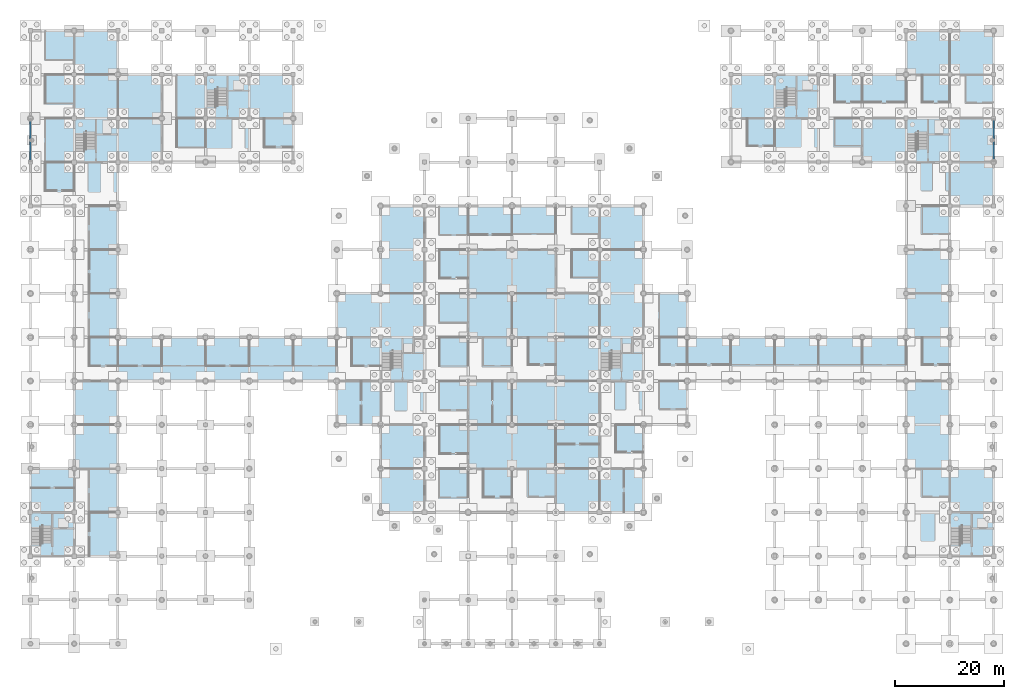
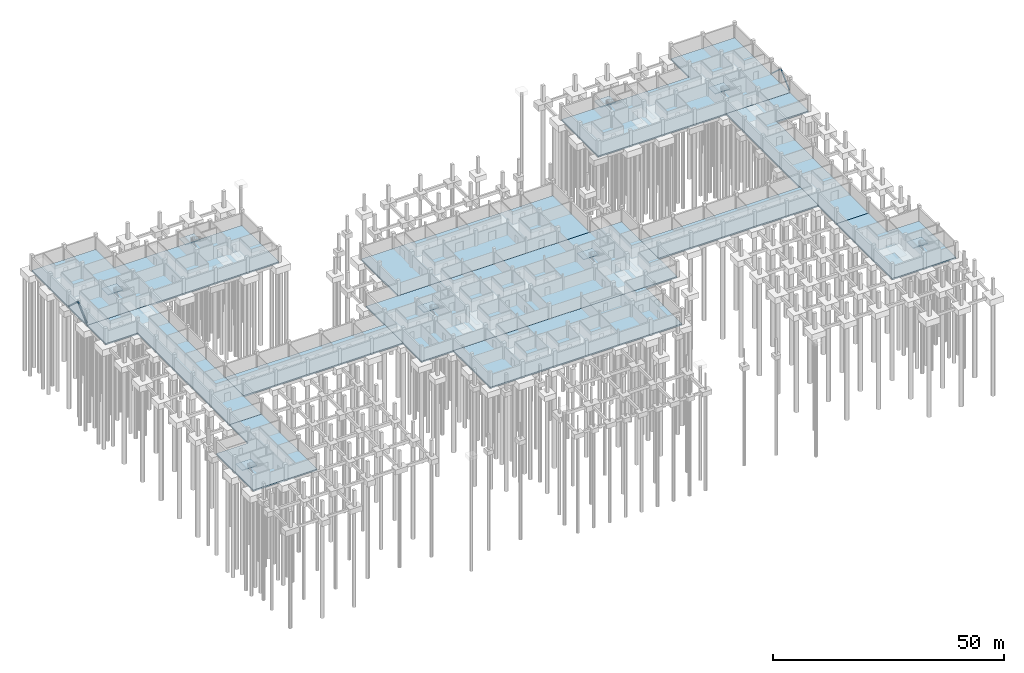
# One storey, part 22 of 48: 19 slabs, 4 members, 8 elements without a shape of their own.
"""IFC4 building model written with IfcOpenShell, lengths in metres."""

from ifc_helpers import new_model, si_unit, derived_unit, direction, frame, origin, origin_2d, place, context, subcontext, project, spatial, polyline, hollow_rectangle, outline, extrude, material, layer, layer_set, material_profile, profile_set, type_object, element, aggregate, save


model = new_model("IFC4")

# Units and contexts
model_context = context("Model", 3, precision=1e-05, world=origin(), true_north=direction((0.0, 1.0)))
body_context = subcontext(model_context, "Body", "Model", "MODEL_VIEW")
ifc_project = project(units=[si_unit("LENGTHUNIT", "METRE"), si_unit("AREAUNIT", "SQUARE_METRE"), si_unit("VOLUMEUNIT", "CUBIC_METRE"), si_unit("PLANEANGLEUNIT", "RADIAN"), si_unit("MASSUNIT", "GRAM", prefix="KILO"), derived_unit("THERMALTRANSMITTANCEUNIT", [(si_unit("MASSUNIT", "GRAM", prefix="KILO"), 1), (si_unit("TIMEUNIT", "SECOND"), -3), (si_unit("THERMODYNAMICTEMPERATUREUNIT", "KELVIN"), -1)])], contexts=[model_context])

# Site, building, storey
site_placement = place(None, origin())
site = spatial("IfcSite", under=ifc_project, at=site_placement, CompositionType="ELEMENT")
building_placement = place(site_placement, origin())
building = spatial("IfcBuilding", under=site, at=building_placement, Name="Veyamyaing Civic Hall", CompositionType="ELEMENT")
storey_placement = place(building_placement, frame((0.0, 0.0, -4.2900390625)))
storey = spatial("IfcBuildingStorey", under=building, at=storey_placement, Name="B1", CompositionType="ELEMENT", Elevation=-4.2900390625)

# Members
ifc_material_1 = material(Name="Steel S355J2", Category="steel")
ifc_material_profile = material_profile(ifc_material_1, hollow_rectangle(XDim=0.25390625, YDim=0.25390625, WallThickness=0.0126953125, at=origin_2d()), Name="HSS254X254X12.7")
ifc_profile_set = profile_set([ifc_material_profile], Name="Steel S355J2")
member_type = type_object("IfcMemberType", Name="BR-01", PredefinedType="BRACE", material=ifc_profile_set)
for number, where, z_axis, x_axis, name in (
    (1, (0.0, 88.219970703125, 0.400146484375), (0.0, 0.739594142904, 0.67305312107), (-1.0, 0.0, 0.0), "Seismic chevron brace BR-01 BF-NW B1.L"),
    (2, (0.0, 95.780029296875, 0.400146484375), (0.0, -0.739594142904, 0.67305312107), (1.0, 0.0, 0.0), "Seismic chevron brace BR-01 BF-NW B1.R"),
    (3, (176.0, 88.219970703125, 0.400146484375), (0.0, 0.739594142904, 0.67305312107), (-1.0, 0.0, 0.0), "Seismic chevron brace BR-01 BF-NE B1.L"),
    (4, (176.0, 95.780029296875, 0.400146484375), (0.0, -0.739594142904, 0.67305312107), (1.0, 0.0, 0.0), "Seismic chevron brace BR-01 BF-NE B1.R"),
):
    element("IfcMember", number, at=place(storey_placement, frame(where, z_axis=z_axis, x_axis=x_axis)), inside=storey, type_object=member_type, Name=name, PredefinedType="BRACE", context=body_context, shape_type="SweptSolid", body=[
        extrude(hollow_rectangle(XDim=0.25390625, YDim=0.25390625, WallThickness=0.0126953125, at=origin_2d()), origin(), (0.0, 0.0, 1.0), 5.11083984375),
    ])

# Slabs
ifc_material_2 = material(Name="Concrete C40/50", Category="concrete")
ifc_layer_1 = layer(ifc_material_2, 0.39990234375, Name="Concrete C40/50")
ifc_layer_set_1 = layer_set([ifc_layer_1], Name="Concrete C40/50")
slab_type_1 = type_object("IfcSlabType", Name="SL-01", PredefinedType="BASESLAB", material=ifc_layer_set_1)
slab_1_placement = place(storey_placement, frame((0.0, 0.0, -0.39990234375)))
element("IfcSlab", 5, at=slab_1_placement, inside=storey, type_object=slab_type_1, Name="Floor slab SL-01 B1 LNKE.1", PredefinedType="BASESLAB", context=body_context, shape_type="SweptSolid", body=[
    extrude(outline(polyline([(120.0, 56.0), (160.0, 56.0), (160.0, 48.0), (120.0, 48.0), (120.0, 56.0)])), origin(), (0.0, 0.0, 1.0), 0.39990234375),
])
slab_2_placement = place(storey_placement, frame((0.0, 0.0, -0.39990234375)))
element("IfcSlab", 6, at=slab_2_placement, inside=storey, type_object=slab_type_1, Name="Floor slab SL-01 B1 LNKW.1", PredefinedType="BASESLAB", context=body_context, shape_type="SweptSolid", body=[
    extrude(outline(polyline([(16.0, 56.0), (56.0, 56.0), (56.0, 48.0), (16.0, 48.0), (16.0, 56.0)])), origin(), (0.0, 0.0, 1.0), 0.39990234375),
])
slab_3_placement = place(storey_placement, frame((0.0, 0.0, -0.39990234375)))
element("IfcSlab", 7, at=slab_3_placement, inside=storey, type_object=slab_type_1, Name="Floor slab SL-01 B1 V1C.1", PredefinedType="BASESLAB", context=body_context, shape_type="SweptSolid", body=[
    extrude(outline(polyline([(56.0, 64.0), (120.0, 64.0), (120.0, 40.0), (56.0, 40.0), (56.0, 64.0)])), origin(), (0.0, 0.0, 1.0), 0.39990234375),
])
slab_4_placement = place(storey_placement, frame((0.0, 0.0, -0.39990234375)))
element("IfcSlab", 8, at=slab_4_placement, inside=storey, type_object=slab_type_1, Name="Floor slab SL-01 B1 V1N.1", PredefinedType="BASESLAB", context=body_context, shape_type="SweptSolid", body=[
    extrude(outline(polyline([(64.0, 80.0), (112.0, 80.0), (112.0, 64.0), (64.0, 64.0), (64.0, 80.0)])), origin(), (0.0, 0.0, 1.0), 0.39990234375),
])
slab_5_placement = place(storey_placement, frame((0.0, 0.0, -0.39990234375)))
element("IfcSlab", 9, at=slab_5_placement, inside=storey, type_object=slab_type_1, Name="Floor slab SL-01 B1 V1S.1", PredefinedType="BASESLAB", context=body_context, shape_type="SweptSolid", body=[
    extrude(outline(polyline([(64.0, 40.0), (112.0, 40.0), (112.0, 24.0), (64.0, 24.0), (64.0, 40.0)])), origin(), (0.0, 0.0, 1.0), 0.39990234375),
])
slab_6_placement = place(storey_placement, frame((0.0, 0.0, -0.39990234375)))
element("IfcSlab", 10, at=slab_6_placement, inside=storey, type_object=slab_type_1, Name="Floor slab SL-01 B1 V2.1", PredefinedType="BASESLAB", context=body_context, shape_type="SweptSolid", body=[
    extrude(outline(polyline([(0.0, 16.0), (0.0, 32.0), (8.0, 32.0), (8.0, 40.0), (16.0, 40.0), (16.0, 16.0), (0.0, 16.0)])), origin(), (0.0, 0.0, 1.0), 0.39990234375),
])
slab_7_placement = place(storey_placement, frame((0.0, 0.0, -0.39990234375)))
element("IfcSlab", 11, at=slab_7_placement, inside=storey, type_object=slab_type_1, Name="Floor slab SL-01 B1 V3.1", PredefinedType="BASESLAB", context=body_context, shape_type="SweptSolid", body=[
    extrude(outline(polyline([(160.0, 16.0), (160.0, 40.0), (168.0, 40.0), (168.0, 32.0), (176.0, 32.0), (176.0, 16.0), (160.0, 16.0)])), origin(), (0.0, 0.0, 1.0), 0.39990234375),
])
slab_8_placement = place(storey_placement, frame((0.0, 0.0, -0.39990234375)))
element("IfcSlab", 12, at=slab_8_placement, inside=storey, type_object=slab_type_1, Name="Floor slab SL-01 B1 V4NE.1", PredefinedType="BASESLAB", context=body_context, shape_type="SweptSolid", body=[
    extrude(outline(polyline([(128.0, 104.0), (160.0, 104.0), (160.0, 112.0), (176.0, 112.0), (176.0, 88.0), (128.0, 88.0), (128.0, 104.0)])), origin(), (0.0, 0.0, 1.0), 0.39990234375),
])
slab_9_placement = place(storey_placement, frame((0.0, 0.0, -0.39990234375)))
element("IfcSlab", 13, at=slab_9_placement, inside=storey, type_object=slab_type_1, Name="Floor slab SL-01 B1 V4NW.1", PredefinedType="BASESLAB", context=body_context, shape_type="SweptSolid", body=[
    extrude(outline(polyline([(0.0, 88.0), (0.0, 112.0), (16.0, 112.0), (16.0, 104.0), (48.0, 104.0), (48.0, 88.0), (0.0, 88.0)])), origin(), (0.0, 0.0, 1.0), 0.39990234375),
])
slab_10_placement = place(storey_placement, frame((0.0, 0.0, -0.39990234375)))
element("IfcSlab", 14, at=slab_10_placement, inside=storey, type_object=slab_type_1, Name="Floor slab SL-01 B1 V4SE.1", PredefinedType="BASESLAB", context=body_context, shape_type="SweptSolid", body=[
    extrude(outline(polyline([(160.0, 40.0), (160.0, 88.0), (176.0, 88.0), (176.0, 80.0), (168.0, 80.0), (168.0, 40.0), (160.0, 40.0)])), origin(), (0.0, 0.0, 1.0), 0.39990234375),
])
slab_11_placement = place(storey_placement, frame((0.0, 0.0, -0.39990234375)))
element("IfcSlab", 15, at=slab_11_placement, inside=storey, type_object=slab_type_1, Name="Floor slab SL-01 B1 V4SW.1", PredefinedType="BASESLAB", context=body_context, shape_type="SweptSolid", body=[
    extrude(outline(polyline([(8.0, 40.0), (8.0, 80.0), (0.0, 80.0), (0.0, 88.0), (16.0, 88.0), (16.0, 40.0), (8.0, 40.0)])), origin(), (0.0, 0.0, 1.0), 0.39990234375),
])

# Stair, slab
stair_type = type_object("IfcStairType", Name="ST-A", PredefinedType="HALF_TURN_STAIR", material=ifc_material_2)
stair_1_placement = place(storey_placement, origin())
stair_1 = element("IfcStair", 16, at=stair_1_placement, inside=storey, type_object=stair_type, Name="Protected exit stair ST-01 B1", PredefinedType="HALF_TURN_STAIR")
ifc_layer_2 = layer(ifc_material_2, 0.195068359375, Name="Concrete C40/50")
ifc_layer_set_2 = layer_set([ifc_layer_2], Name="Concrete C40/50")
slab_type_2 = type_object("IfcSlabType", Name="SL-LND", PredefinedType="LANDING", material=ifc_layer_set_2)
slab_12_placement = place(storey_placement, frame((0.0, 0.0, 1.949951171875)))
slab_12 = element("IfcSlab", 17, at=slab_12_placement, type_object=slab_type_2, Name="ST-01 landing 1", PredefinedType="LANDING", context=body_context, shape_type="SweptSolid", body=[
    extrude(outline(polyline([(8.139892578125, 93.070068359375), (11.909912109375, 93.070068359375), (11.909912109375, 95.860107421875), (8.139892578125, 95.860107421875), (8.139892578125, 93.070068359375)])), origin(), (0.0, 0.0, 1.0), 0.195068359375),
])
aggregate(stair_1, [slab_12])

stair_2_placement = place(storey_placement, origin())
stair_2 = element("IfcStair", 18, at=stair_2_placement, inside=storey, type_object=stair_type, Name="Protected exit stair ST-02 B1", PredefinedType="HALF_TURN_STAIR")
slab_13_placement = place(storey_placement, frame((0.0, 0.0, 1.949951171875)))
slab_13 = element("IfcSlab", 19, at=slab_13_placement, type_object=slab_type_2, Name="ST-02 landing 1", PredefinedType="LANDING", context=body_context, shape_type="SweptSolid", body=[
    extrude(outline(polyline([(32.139892578125, 101.070068359375), (35.909912109375, 101.070068359375), (35.909912109375, 103.860107421875), (32.139892578125, 103.860107421875), (32.139892578125, 101.070068359375)])), origin(), (0.0, 0.0, 1.0), 0.195068359375),
])
aggregate(stair_2, [slab_13])

stair_3_placement = place(storey_placement, origin())
stair_3 = element("IfcStair", 20, at=stair_3_placement, inside=storey, type_object=stair_type, Name="Protected exit stair ST-03 B1", PredefinedType="HALF_TURN_STAIR")
slab_14_placement = place(storey_placement, frame((0.0, 0.0, 1.949951171875)))
slab_14 = element("IfcSlab", 21, at=slab_14_placement, type_object=slab_type_2, Name="ST-03 landing 1", PredefinedType="LANDING", context=body_context, shape_type="SweptSolid", body=[
    extrude(outline(polyline([(160.139892578125, 93.070068359375), (163.909912109375, 93.070068359375), (163.909912109375, 95.860107421875), (160.139892578125, 95.860107421875), (160.139892578125, 93.070068359375)])), origin(), (0.0, 0.0, 1.0), 0.195068359375),
])
aggregate(stair_3, [slab_14])

stair_4_placement = place(storey_placement, origin())
stair_4 = element("IfcStair", 22, at=stair_4_placement, inside=storey, type_object=stair_type, Name="Protected exit stair ST-04 B1", PredefinedType="HALF_TURN_STAIR")
slab_15_placement = place(storey_placement, frame((0.0, 0.0, 1.949951171875)))
slab_15 = element("IfcSlab", 23, at=slab_15_placement, type_object=slab_type_2, Name="ST-04 landing 1", PredefinedType="LANDING", context=body_context, shape_type="SweptSolid", body=[
    extrude(outline(polyline([(136.139892578125, 101.070068359375), (139.909912109375, 101.070068359375), (139.909912109375, 103.860107421875), (136.139892578125, 103.860107421875), (136.139892578125, 101.070068359375)])), origin(), (0.0, 0.0, 1.0), 0.195068359375),
])
aggregate(stair_4, [slab_15])

stair_5_placement = place(storey_placement, origin())
stair_5 = element("IfcStair", 24, at=stair_5_placement, inside=storey, type_object=stair_type, Name="Protected exit stair ST-05 B1", PredefinedType="HALF_TURN_STAIR")
slab_16_placement = place(storey_placement, frame((0.0, 0.0, 1.949951171875)))
slab_16 = element("IfcSlab", 25, at=slab_16_placement, type_object=slab_type_2, Name="ST-05 landing 1", PredefinedType="LANDING", context=body_context, shape_type="SweptSolid", body=[
    extrude(outline(polyline([(64.139892578125, 53.070068359375), (67.909912109375, 53.070068359375), (67.909912109375, 55.860107421875), (64.139892578125, 55.860107421875), (64.139892578125, 53.070068359375)])), origin(), (0.0, 0.0, 1.0), 0.195068359375),
])
aggregate(stair_5, [slab_16])

stair_6_placement = place(storey_placement, origin())
stair_6 = element("IfcStair", 26, at=stair_6_placement, inside=storey, type_object=stair_type, Name="Protected exit stair ST-06 B1", PredefinedType="HALF_TURN_STAIR")
slab_17_placement = place(storey_placement, frame((0.0, 0.0, 1.949951171875)))
slab_17 = element("IfcSlab", 27, at=slab_17_placement, type_object=slab_type_2, Name="ST-06 landing 1", PredefinedType="LANDING", context=body_context, shape_type="SweptSolid", body=[
    extrude(outline(polyline([(104.139892578125, 53.070068359375), (107.909912109375, 53.070068359375), (107.909912109375, 55.860107421875), (104.139892578125, 55.860107421875), (104.139892578125, 53.070068359375)])), origin(), (0.0, 0.0, 1.0), 0.195068359375),
])
aggregate(stair_6, [slab_17])

stair_7_placement = place(storey_placement, origin())
stair_7 = element("IfcStair", 28, at=stair_7_placement, inside=storey, type_object=stair_type, Name="Protected exit stair ST-09 B1", PredefinedType="HALF_TURN_STAIR")
slab_18_placement = place(storey_placement, frame((0.0, 0.0, 1.949951171875)))
slab_18 = element("IfcSlab", 29, at=slab_18_placement, type_object=slab_type_2, Name="ST-09 landing 1", PredefinedType="LANDING", context=body_context, shape_type="SweptSolid", body=[
    extrude(outline(polyline([(0.139892578125, 21.070068359375), (3.909912109375, 21.070068359375), (3.909912109375, 23.860107421875), (0.139892578125, 23.860107421875), (0.139892578125, 21.070068359375)])), origin(), (0.0, 0.0, 1.0), 0.195068359375),
])
aggregate(stair_7, [slab_18])

stair_8_placement = place(storey_placement, origin())
stair_8 = element("IfcStair", 30, at=stair_8_placement, inside=storey, type_object=stair_type, Name="Protected exit stair ST-10 B1", PredefinedType="HALF_TURN_STAIR")
slab_19_placement = place(storey_placement, frame((0.0, 0.0, 1.949951171875)))
slab_19 = element("IfcSlab", 31, at=slab_19_placement, type_object=slab_type_2, Name="ST-10 landing 1", PredefinedType="LANDING", context=body_context, shape_type="SweptSolid", body=[
    extrude(outline(polyline([(168.139892578125, 21.070068359375), (171.909912109375, 21.070068359375), (171.909912109375, 23.860107421875), (168.139892578125, 23.860107421875), (168.139892578125, 21.070068359375)])), origin(), (0.0, 0.0, 1.0), 0.195068359375),
])
aggregate(stair_8, [slab_19])

save(model, "model.ifc")
